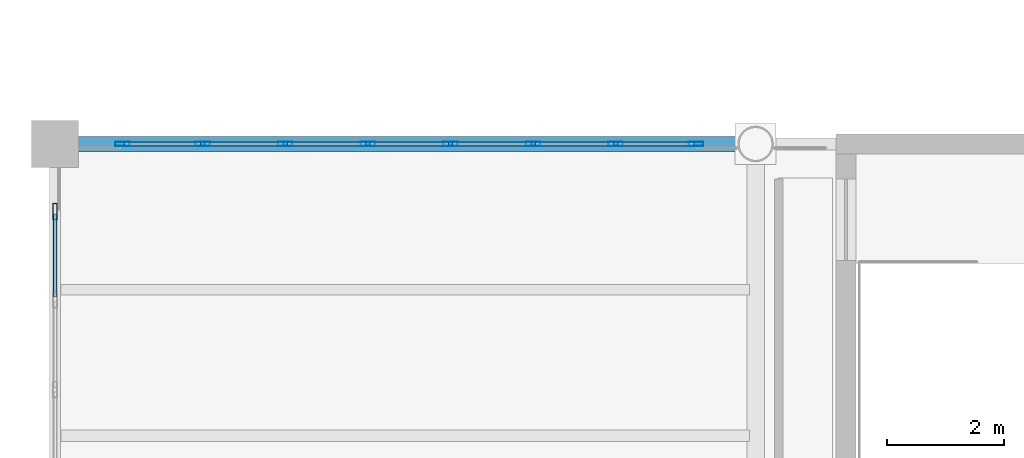
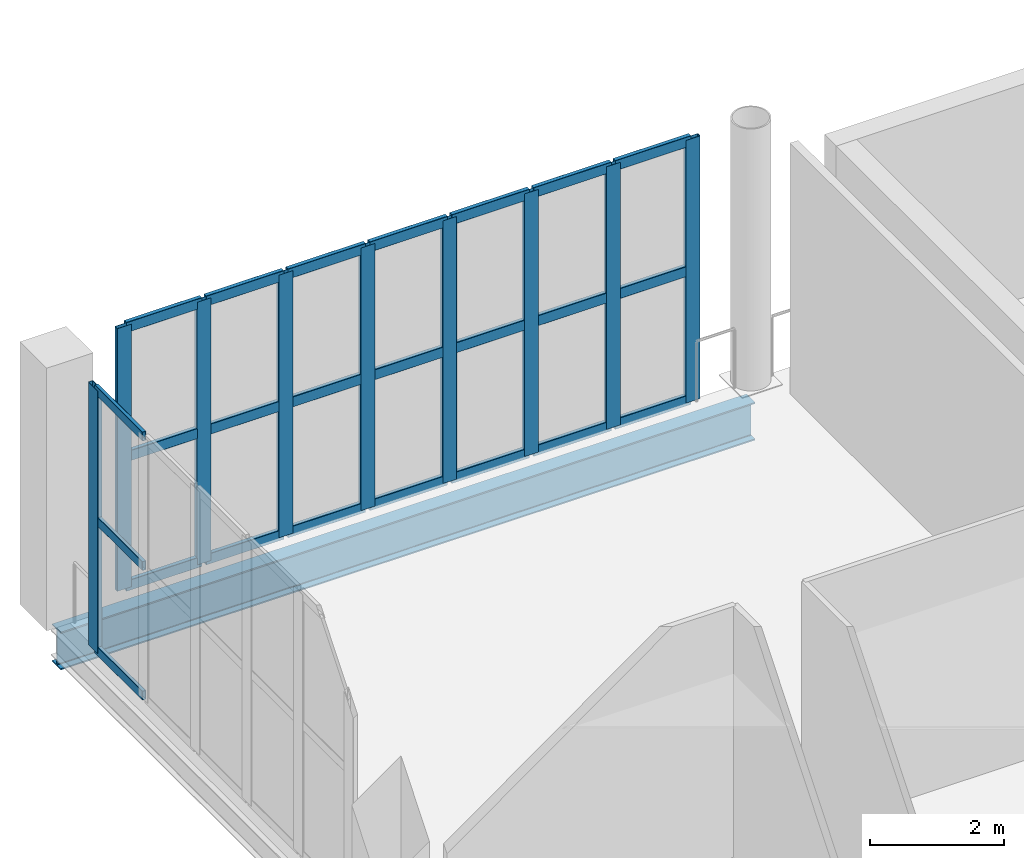
# One storey, part 25 of 49: 33 members, 1 beam, 2 elements without a shape of their own.
"""IFC4 building model written with IfcOpenShell, lengths in metres."""

from ifc_helpers import new_model, si_unit, direction, frame, origin, origin_2d, place, context, subcontext, project, spatial, hollow_rectangle, i_section, extrude, material, layer, layer_set, material_profile, profile_set, type_object, element, aggregate, save


model = new_model("IFC4")

# Units and contexts
model_context = context("Model", 3, precision=1e-05, world=origin(), true_north=direction((0.0, 1.0)))
body_context = subcontext(model_context, "Body", "Model", "MODEL_VIEW")
ifc_project = project(units=[si_unit("LENGTHUNIT", "METRE"), si_unit("AREAUNIT", "SQUARE_METRE"), si_unit("VOLUMEUNIT", "CUBIC_METRE"), si_unit("PLANEANGLEUNIT", "RADIAN"), si_unit("MASSUNIT", "GRAM", prefix="KILO")], contexts=[model_context])

# Site, building, storey
site_placement = place(None, origin())
site = spatial("IfcSite", under=ifc_project, at=site_placement, CompositionType="ELEMENT")
building_placement = place(site_placement, origin())
building = spatial("IfcBuilding", under=site, at=building_placement, Name="Brinegate Civic Arena", CompositionType="ELEMENT")
storey_placement = place(building_placement, frame((0.0, 0.0, 24.60009765625)))
storey = spatial("IfcBuildingStorey", under=building, at=storey_placement, Name="L05", CompositionType="ELEMENT", Elevation=24.60009765625)

# Curtain wall, members
ifc_material_1 = material(Name="Marine grade aluminium", Category="aluminium")
ifc_layer = layer(ifc_material_1, 0.199951171875, Name="Marine grade aluminium")
ifc_layer_set = layer_set([ifc_layer], Name="Marine grade aluminium")
curtain_wall_type = type_object("IfcCurtainWallType", Name="CW-BOWL-GLAZED-01", PredefinedType="USERDEFINED", material=ifc_layer_set)
curtain_wall_1_placement = place(storey_placement, origin())
curtain_wall_1 = element("IfcCurtainWall", 1, at=curtain_wall_1_placement, inside=storey, type_object=curtain_wall_type, Name="Curtain Wall CWA-169", ObjectType="GLAZED CURTAIN WALL", PredefinedType="USERDEFINED")
ifc_material_profile_1 = material_profile(ifc_material_1, hollow_rectangle(XDim=0.074951171875, YDim=0.25, WallThickness=0.006103515625, InnerFilletRadius=0.00390625, OuterFilletRadius=0.008056640625, at=origin_2d()), Name="MUL75X250")
ifc_profile_set_1 = profile_set([ifc_material_profile_1], Name="Marine grade aluminium")
member_type_1 = type_object("IfcMemberType", Name="CW-MULLION-75X250", PredefinedType="MULLION", material=ifc_profile_set_1)
member_1_placement = place(storey_placement, frame((49.153564453125, 114.0, 0.0), z_axis=(0.0, 0.0, 1.0), x_axis=(0.0, 1.0, 0.0)))
member_1 = element("IfcMember", 2, at=member_1_placement, type_object=member_type_1, Name="CWA-169 mullion 1", PredefinedType="MULLION", context=body_context, shape_type="SweptSolid", body=[
    extrude(hollow_rectangle(XDim=0.074951171875, YDim=0.25, WallThickness=0.006103515625, InnerFilletRadius=0.00390625, OuterFilletRadius=0.008056640625, at=origin_2d()), origin(), (0.0, 0.0, 1.0), 4.7998046875),
])
member_2_placement = place(storey_placement, frame((50.53076171875, 114.0, 0.0), z_axis=(0.0, 0.0, 1.0), x_axis=(0.0, 1.0, 0.0)))
member_2 = element("IfcMember", 3, at=member_2_placement, type_object=member_type_1, Name="CWA-169 mullion 2", PredefinedType="MULLION", context=body_context, shape_type="SweptSolid", body=[
    extrude(hollow_rectangle(XDim=0.074951171875, YDim=0.25, WallThickness=0.006103515625, InnerFilletRadius=0.00390625, OuterFilletRadius=0.008056640625, at=origin_2d()), origin(), (0.0, 0.0, 1.0), 4.7998046875),
])
member_3_placement = place(storey_placement, frame((51.9453125, 114.0, 0.0), z_axis=(0.0, 0.0, 1.0), x_axis=(0.0, 1.0, 0.0)))
member_3 = element("IfcMember", 4, at=member_3_placement, type_object=member_type_1, Name="CWA-169 mullion 3", PredefinedType="MULLION", context=body_context, shape_type="SweptSolid", body=[
    extrude(hollow_rectangle(XDim=0.074951171875, YDim=0.25, WallThickness=0.006103515625, InnerFilletRadius=0.00390625, OuterFilletRadius=0.008056640625, at=origin_2d()), origin(), (0.0, 0.0, 1.0), 4.7998046875),
])
member_4_placement = place(storey_placement, frame((53.360107421875, 114.0, 0.0), z_axis=(0.0, 0.0, 1.0), x_axis=(0.0, 1.0, 0.0)))
member_4 = element("IfcMember", 5, at=member_4_placement, type_object=member_type_1, Name="CWA-169 mullion 4", PredefinedType="MULLION", context=body_context, shape_type="SweptSolid", body=[
    extrude(hollow_rectangle(XDim=0.074951171875, YDim=0.25, WallThickness=0.006103515625, InnerFilletRadius=0.00390625, OuterFilletRadius=0.008056640625, at=origin_2d()), origin(), (0.0, 0.0, 1.0), 4.7998046875),
])
member_5_placement = place(storey_placement, frame((54.77490234375, 114.0, 0.0), z_axis=(0.0, 0.0, 1.0), x_axis=(0.0, 1.0, 0.0)))
member_5 = element("IfcMember", 6, at=member_5_placement, type_object=member_type_1, Name="CWA-169 mullion 5", PredefinedType="MULLION", context=body_context, shape_type="SweptSolid", body=[
    extrude(hollow_rectangle(XDim=0.074951171875, YDim=0.25, WallThickness=0.006103515625, InnerFilletRadius=0.00390625, OuterFilletRadius=0.008056640625, at=origin_2d()), origin(), (0.0, 0.0, 1.0), 4.7998046875),
])
member_6_placement = place(storey_placement, frame((56.189453125, 114.0, 0.0), z_axis=(0.0, 0.0, 1.0), x_axis=(0.0, 1.0, 0.0)))
member_6 = element("IfcMember", 7, at=member_6_placement, type_object=member_type_1, Name="CWA-169 mullion 6", PredefinedType="MULLION", context=body_context, shape_type="SweptSolid", body=[
    extrude(hollow_rectangle(XDim=0.074951171875, YDim=0.25, WallThickness=0.006103515625, InnerFilletRadius=0.00390625, OuterFilletRadius=0.008056640625, at=origin_2d()), origin(), (0.0, 0.0, 1.0), 4.7998046875),
])
member_7_placement = place(storey_placement, frame((57.604248046875, 114.0, 0.0), z_axis=(0.0, 0.0, 1.0), x_axis=(0.0, 1.0, 0.0)))
member_7 = element("IfcMember", 8, at=member_7_placement, type_object=member_type_1, Name="CWA-169 mullion 7", PredefinedType="MULLION", context=body_context, shape_type="SweptSolid", body=[
    extrude(hollow_rectangle(XDim=0.074951171875, YDim=0.25, WallThickness=0.006103515625, InnerFilletRadius=0.00390625, OuterFilletRadius=0.008056640625, at=origin_2d()), origin(), (0.0, 0.0, 1.0), 4.7998046875),
])
member_8_placement = place(storey_placement, frame((58.9814453125, 114.0, 0.0), z_axis=(0.0, 0.0, 1.0), x_axis=(0.0, 1.0, 0.0)))
member_8 = element("IfcMember", 9, at=member_8_placement, type_object=member_type_1, Name="CWA-169 mullion 8", PredefinedType="MULLION", context=body_context, shape_type="SweptSolid", body=[
    extrude(hollow_rectangle(XDim=0.074951171875, YDim=0.25, WallThickness=0.006103515625, InnerFilletRadius=0.00390625, OuterFilletRadius=0.008056640625, at=origin_2d()), origin(), (0.0, 0.0, 1.0), 4.7998046875),
])

curtain_wall_2_placement = place(storey_placement, origin())
curtain_wall_2 = element("IfcCurtainWall", 10, at=curtain_wall_2_placement, inside=storey, type_object=curtain_wall_type, Name="Curtain Wall CWA-163", ObjectType="GLAZED CURTAIN WALL", PredefinedType="USERDEFINED")
ifc_material_profile_2 = material_profile(ifc_material_1, hollow_rectangle(XDim=0.080078125, YDim=0.280029296875, WallThickness=0.007080078125, InnerFilletRadius=0.0048828125, OuterFilletRadius=0.010009765625, at=origin_2d()), Name="MUL80X280")
ifc_profile_set_2 = profile_set([ifc_material_profile_2], Name="Marine grade aluminium")
member_type_2 = type_object("IfcMemberType", Name="CW-MULLION-80X280", PredefinedType="MULLION", material=ifc_profile_set_2)
member_9_placement = place(storey_placement, frame((48.0, 112.843994140625, 0.0), z_axis=(0.0, 0.0, 1.0), x_axis=(-1.0, 0.0, 0.0)))
member_9 = element("IfcMember", 11, at=member_9_placement, type_object=member_type_2, Name="CWA-163 mullion 6", PredefinedType="MULLION", context=body_context, shape_type="SweptSolid", body=[
    extrude(hollow_rectangle(XDim=0.080078125, YDim=0.280029296875, WallThickness=0.007080078125, InnerFilletRadius=0.0048828125, OuterFilletRadius=0.010009765625, at=origin_2d()), origin(), (0.0, 0.0, 1.0), 4.7998046875),
])
ifc_material_profile_3 = material_profile(ifc_material_1, hollow_rectangle(XDim=0.06494140625, YDim=0.1650390625, WallThickness=0.0048828125, InnerFilletRadius=0.00390625, OuterFilletRadius=0.008056640625, at=origin_2d()), Name="TRN65X165")
ifc_profile_set_3 = profile_set([ifc_material_profile_3], Name="Marine grade aluminium")
member_type_3 = type_object("IfcMemberType", Name="CW-TRANSOM-65X165", PredefinedType="USERDEFINED", material=ifc_profile_set_3)
member_10_placement = place(storey_placement, frame((48.0, 111.37744140625, 0.032470703125), z_axis=(0.0, 1.0, 0.0), x_axis=(-1.0, 0.0, 0.0)))
member_10 = element("IfcMember", 12, at=member_10_placement, type_object=member_type_3, Name="CWA-163 transom 5.1", ObjectType="TRANSOM", PredefinedType="USERDEFINED", context=body_context, shape_type="SweptSolid", body=[
    extrude(hollow_rectangle(XDim=0.06494140625, YDim=0.1650390625, WallThickness=0.0048828125, InnerFilletRadius=0.00390625, OuterFilletRadius=0.008056640625, at=origin_2d()), origin(), (0.0, 0.0, 1.0), 1.426513671875),
])
member_11_placement = place(storey_placement, frame((48.0, 111.37744140625, 2.39990234375), z_axis=(0.0, 1.0, 0.0), x_axis=(-1.0, 0.0, 0.0)))
member_11 = element("IfcMember", 13, at=member_11_placement, type_object=member_type_3, Name="CWA-163 transom 5.2", ObjectType="TRANSOM", PredefinedType="USERDEFINED", context=body_context, shape_type="SweptSolid", body=[
    extrude(hollow_rectangle(XDim=0.06494140625, YDim=0.1650390625, WallThickness=0.0048828125, InnerFilletRadius=0.00390625, OuterFilletRadius=0.008056640625, at=origin_2d()), origin(), (0.0, 0.0, 1.0), 1.426513671875),
])
member_12_placement = place(storey_placement, frame((48.0, 111.37744140625, 4.767333984375), z_axis=(0.0, 1.0, 0.0), x_axis=(-1.0, 0.0, 0.0)))
member_12 = element("IfcMember", 14, at=member_12_placement, type_object=member_type_3, Name="CWA-163 transom 5.3", ObjectType="TRANSOM", PredefinedType="USERDEFINED", context=body_context, shape_type="SweptSolid", body=[
    extrude(hollow_rectangle(XDim=0.06494140625, YDim=0.1650390625, WallThickness=0.0048828125, InnerFilletRadius=0.00390625, OuterFilletRadius=0.008056640625, at=origin_2d()), origin(), (0.0, 0.0, 1.0), 1.426513671875),
])
aggregate(curtain_wall_2, [member_9, member_10, member_11, member_12])

# Member
ifc_material_profile_4 = material_profile(ifc_material_1, hollow_rectangle(XDim=0.074951171875, YDim=0.18994140625, WallThickness=0.006103515625, InnerFilletRadius=0.00390625, OuterFilletRadius=0.008056640625, at=origin_2d()), Name="TRN75X190")
ifc_profile_set_4 = profile_set([ifc_material_profile_4], Name="Marine grade aluminium")
member_type_4 = type_object("IfcMemberType", Name="CW-TRANSOM-75X190", PredefinedType="USERDEFINED", material=ifc_profile_set_4)
member_13_placement = place(storey_placement, frame((49.19091796875, 114.0, 0.037353515625), z_axis=(1.0, 0.0, 0.0), x_axis=(0.0, 1.0, 0.0)))
member_13 = element("IfcMember", 15, at=member_13_placement, type_object=member_type_4, Name="CWA-169 transom 1.1", ObjectType="TRANSOM", PredefinedType="USERDEFINED", context=body_context, shape_type="SweptSolid", body=[
    extrude(hollow_rectangle(XDim=0.074951171875, YDim=0.18994140625, WallThickness=0.006103515625, InnerFilletRadius=0.00390625, OuterFilletRadius=0.008056640625, at=origin_2d()), origin(), (0.0, 0.0, 1.0), 1.30224609375),
])

member_14_placement = place(storey_placement, frame((49.19091796875, 114.0, 2.39990234375), z_axis=(1.0, 0.0, 0.0), x_axis=(0.0, 1.0, 0.0)))
member_14 = element("IfcMember", 16, at=member_14_placement, type_object=member_type_4, Name="CWA-169 transom 1.2", ObjectType="TRANSOM", PredefinedType="USERDEFINED", context=body_context, shape_type="SweptSolid", body=[
    extrude(hollow_rectangle(XDim=0.074951171875, YDim=0.18994140625, WallThickness=0.006103515625, InnerFilletRadius=0.00390625, OuterFilletRadius=0.008056640625, at=origin_2d()), origin(), (0.0, 0.0, 1.0), 1.30224609375),
])

member_15_placement = place(storey_placement, frame((49.19091796875, 114.0, 4.762451171875), z_axis=(1.0, 0.0, 0.0), x_axis=(0.0, 1.0, 0.0)))
member_15 = element("IfcMember", 17, at=member_15_placement, type_object=member_type_4, Name="CWA-169 transom 1.3", ObjectType="TRANSOM", PredefinedType="USERDEFINED", context=body_context, shape_type="SweptSolid", body=[
    extrude(hollow_rectangle(XDim=0.074951171875, YDim=0.18994140625, WallThickness=0.006103515625, InnerFilletRadius=0.00390625, OuterFilletRadius=0.008056640625, at=origin_2d()), origin(), (0.0, 0.0, 1.0), 1.30224609375),
])

member_16_placement = place(storey_placement, frame((50.568115234375, 114.0, 0.037353515625), z_axis=(1.0, 0.0, 0.0), x_axis=(0.0, 1.0, 0.0)))
member_16 = element("IfcMember", 18, at=member_16_placement, type_object=member_type_4, Name="CWA-169 transom 2.1", ObjectType="TRANSOM", PredefinedType="USERDEFINED", context=body_context, shape_type="SweptSolid", body=[
    extrude(hollow_rectangle(XDim=0.074951171875, YDim=0.18994140625, WallThickness=0.006103515625, InnerFilletRadius=0.00390625, OuterFilletRadius=0.008056640625, at=origin_2d()), origin(), (0.0, 0.0, 1.0), 1.33984375),
])

member_17_placement = place(storey_placement, frame((50.568115234375, 114.0, 2.39990234375), z_axis=(1.0, 0.0, 0.0), x_axis=(0.0, 1.0, 0.0)))
member_17 = element("IfcMember", 19, at=member_17_placement, type_object=member_type_4, Name="CWA-169 transom 2.2", ObjectType="TRANSOM", PredefinedType="USERDEFINED", context=body_context, shape_type="SweptSolid", body=[
    extrude(hollow_rectangle(XDim=0.074951171875, YDim=0.18994140625, WallThickness=0.006103515625, InnerFilletRadius=0.00390625, OuterFilletRadius=0.008056640625, at=origin_2d()), origin(), (0.0, 0.0, 1.0), 1.33984375),
])

member_18_placement = place(storey_placement, frame((50.568115234375, 114.0, 4.762451171875), z_axis=(1.0, 0.0, 0.0), x_axis=(0.0, 1.0, 0.0)))
member_18 = element("IfcMember", 20, at=member_18_placement, type_object=member_type_4, Name="CWA-169 transom 2.3", ObjectType="TRANSOM", PredefinedType="USERDEFINED", context=body_context, shape_type="SweptSolid", body=[
    extrude(hollow_rectangle(XDim=0.074951171875, YDim=0.18994140625, WallThickness=0.006103515625, InnerFilletRadius=0.00390625, OuterFilletRadius=0.008056640625, at=origin_2d()), origin(), (0.0, 0.0, 1.0), 1.33984375),
])

member_19_placement = place(storey_placement, frame((51.98291015625, 114.0, 0.037353515625), z_axis=(1.0, 0.0, 0.0), x_axis=(0.0, 1.0, 0.0)))
member_19 = element("IfcMember", 21, at=member_19_placement, type_object=member_type_4, Name="CWA-169 transom 3.1", ObjectType="TRANSOM", PredefinedType="USERDEFINED", context=body_context, shape_type="SweptSolid", body=[
    extrude(hollow_rectangle(XDim=0.074951171875, YDim=0.18994140625, WallThickness=0.006103515625, InnerFilletRadius=0.00390625, OuterFilletRadius=0.008056640625, at=origin_2d()), origin(), (0.0, 0.0, 1.0), 1.33984375),
])

member_20_placement = place(storey_placement, frame((51.98291015625, 114.0, 2.39990234375), z_axis=(1.0, 0.0, 0.0), x_axis=(0.0, 1.0, 0.0)))
member_20 = element("IfcMember", 22, at=member_20_placement, type_object=member_type_4, Name="CWA-169 transom 3.2", ObjectType="TRANSOM", PredefinedType="USERDEFINED", context=body_context, shape_type="SweptSolid", body=[
    extrude(hollow_rectangle(XDim=0.074951171875, YDim=0.18994140625, WallThickness=0.006103515625, InnerFilletRadius=0.00390625, OuterFilletRadius=0.008056640625, at=origin_2d()), origin(), (0.0, 0.0, 1.0), 1.33984375),
])

member_21_placement = place(storey_placement, frame((51.98291015625, 114.0, 4.762451171875), z_axis=(1.0, 0.0, 0.0), x_axis=(0.0, 1.0, 0.0)))
member_21 = element("IfcMember", 23, at=member_21_placement, type_object=member_type_4, Name="CWA-169 transom 3.3", ObjectType="TRANSOM", PredefinedType="USERDEFINED", context=body_context, shape_type="SweptSolid", body=[
    extrude(hollow_rectangle(XDim=0.074951171875, YDim=0.18994140625, WallThickness=0.006103515625, InnerFilletRadius=0.00390625, OuterFilletRadius=0.008056640625, at=origin_2d()), origin(), (0.0, 0.0, 1.0), 1.33984375),
])

member_22_placement = place(storey_placement, frame((53.397705078125, 114.0, 0.037353515625), z_axis=(1.0, 0.0, 0.0), x_axis=(0.0, 1.0, 0.0)))
member_22 = element("IfcMember", 24, at=member_22_placement, type_object=member_type_4, Name="CWA-169 transom 4.1", ObjectType="TRANSOM", PredefinedType="USERDEFINED", context=body_context, shape_type="SweptSolid", body=[
    extrude(hollow_rectangle(XDim=0.074951171875, YDim=0.18994140625, WallThickness=0.006103515625, InnerFilletRadius=0.00390625, OuterFilletRadius=0.008056640625, at=origin_2d()), origin(), (0.0, 0.0, 1.0), 1.339599609375),
])

member_23_placement = place(storey_placement, frame((53.397705078125, 114.0, 2.39990234375), z_axis=(1.0, 0.0, 0.0), x_axis=(0.0, 1.0, 0.0)))
member_23 = element("IfcMember", 25, at=member_23_placement, type_object=member_type_4, Name="CWA-169 transom 4.2", ObjectType="TRANSOM", PredefinedType="USERDEFINED", context=body_context, shape_type="SweptSolid", body=[
    extrude(hollow_rectangle(XDim=0.074951171875, YDim=0.18994140625, WallThickness=0.006103515625, InnerFilletRadius=0.00390625, OuterFilletRadius=0.008056640625, at=origin_2d()), origin(), (0.0, 0.0, 1.0), 1.339599609375),
])

member_24_placement = place(storey_placement, frame((53.397705078125, 114.0, 4.762451171875), z_axis=(1.0, 0.0, 0.0), x_axis=(0.0, 1.0, 0.0)))
member_24 = element("IfcMember", 26, at=member_24_placement, type_object=member_type_4, Name="CWA-169 transom 4.3", ObjectType="TRANSOM", PredefinedType="USERDEFINED", context=body_context, shape_type="SweptSolid", body=[
    extrude(hollow_rectangle(XDim=0.074951171875, YDim=0.18994140625, WallThickness=0.006103515625, InnerFilletRadius=0.00390625, OuterFilletRadius=0.008056640625, at=origin_2d()), origin(), (0.0, 0.0, 1.0), 1.339599609375),
])

member_25_placement = place(storey_placement, frame((54.812255859375, 114.0, 0.037353515625), z_axis=(1.0, 0.0, 0.0), x_axis=(0.0, 1.0, 0.0)))
member_25 = element("IfcMember", 27, at=member_25_placement, type_object=member_type_4, Name="CWA-169 transom 5.1", ObjectType="TRANSOM", PredefinedType="USERDEFINED", context=body_context, shape_type="SweptSolid", body=[
    extrude(hollow_rectangle(XDim=0.074951171875, YDim=0.18994140625, WallThickness=0.006103515625, InnerFilletRadius=0.00390625, OuterFilletRadius=0.008056640625, at=origin_2d()), origin(), (0.0, 0.0, 1.0), 1.33984375),
])

member_26_placement = place(storey_placement, frame((54.812255859375, 114.0, 2.39990234375), z_axis=(1.0, 0.0, 0.0), x_axis=(0.0, 1.0, 0.0)))
member_26 = element("IfcMember", 28, at=member_26_placement, type_object=member_type_4, Name="CWA-169 transom 5.2", ObjectType="TRANSOM", PredefinedType="USERDEFINED", context=body_context, shape_type="SweptSolid", body=[
    extrude(hollow_rectangle(XDim=0.074951171875, YDim=0.18994140625, WallThickness=0.006103515625, InnerFilletRadius=0.00390625, OuterFilletRadius=0.008056640625, at=origin_2d()), origin(), (0.0, 0.0, 1.0), 1.33984375),
])

member_27_placement = place(storey_placement, frame((54.812255859375, 114.0, 4.762451171875), z_axis=(1.0, 0.0, 0.0), x_axis=(0.0, 1.0, 0.0)))
member_27 = element("IfcMember", 29, at=member_27_placement, type_object=member_type_4, Name="CWA-169 transom 5.3", ObjectType="TRANSOM", PredefinedType="USERDEFINED", context=body_context, shape_type="SweptSolid", body=[
    extrude(hollow_rectangle(XDim=0.074951171875, YDim=0.18994140625, WallThickness=0.006103515625, InnerFilletRadius=0.00390625, OuterFilletRadius=0.008056640625, at=origin_2d()), origin(), (0.0, 0.0, 1.0), 1.33984375),
])

member_28_placement = place(storey_placement, frame((56.22705078125, 114.0, 0.037353515625), z_axis=(1.0, 0.0, 0.0), x_axis=(0.0, 1.0, 0.0)))
member_28 = element("IfcMember", 30, at=member_28_placement, type_object=member_type_4, Name="CWA-169 transom 6.1", ObjectType="TRANSOM", PredefinedType="USERDEFINED", context=body_context, shape_type="SweptSolid", body=[
    extrude(hollow_rectangle(XDim=0.074951171875, YDim=0.18994140625, WallThickness=0.006103515625, InnerFilletRadius=0.00390625, OuterFilletRadius=0.008056640625, at=origin_2d()), origin(), (0.0, 0.0, 1.0), 1.33984375),
])

member_29_placement = place(storey_placement, frame((56.22705078125, 114.0, 2.39990234375), z_axis=(1.0, 0.0, 0.0), x_axis=(0.0, 1.0, 0.0)))
member_29 = element("IfcMember", 31, at=member_29_placement, type_object=member_type_4, Name="CWA-169 transom 6.2", ObjectType="TRANSOM", PredefinedType="USERDEFINED", context=body_context, shape_type="SweptSolid", body=[
    extrude(hollow_rectangle(XDim=0.074951171875, YDim=0.18994140625, WallThickness=0.006103515625, InnerFilletRadius=0.00390625, OuterFilletRadius=0.008056640625, at=origin_2d()), origin(), (0.0, 0.0, 1.0), 1.33984375),
])

member_30_placement = place(storey_placement, frame((56.22705078125, 114.0, 4.762451171875), z_axis=(1.0, 0.0, 0.0), x_axis=(0.0, 1.0, 0.0)))
member_30 = element("IfcMember", 32, at=member_30_placement, type_object=member_type_4, Name="CWA-169 transom 6.3", ObjectType="TRANSOM", PredefinedType="USERDEFINED", context=body_context, shape_type="SweptSolid", body=[
    extrude(hollow_rectangle(XDim=0.074951171875, YDim=0.18994140625, WallThickness=0.006103515625, InnerFilletRadius=0.00390625, OuterFilletRadius=0.008056640625, at=origin_2d()), origin(), (0.0, 0.0, 1.0), 1.33984375),
])

member_31_placement = place(storey_placement, frame((57.641845703125, 114.0, 0.037353515625), z_axis=(1.0, 0.0, 0.0), x_axis=(0.0, 1.0, 0.0)))
member_31 = element("IfcMember", 33, at=member_31_placement, type_object=member_type_4, Name="CWA-169 transom 7.1", ObjectType="TRANSOM", PredefinedType="USERDEFINED", context=body_context, shape_type="SweptSolid", body=[
    extrude(hollow_rectangle(XDim=0.074951171875, YDim=0.18994140625, WallThickness=0.006103515625, InnerFilletRadius=0.00390625, OuterFilletRadius=0.008056640625, at=origin_2d()), origin(), (0.0, 0.0, 1.0), 1.30224609375),
])

member_32_placement = place(storey_placement, frame((57.641845703125, 114.0, 2.39990234375), z_axis=(1.0, 0.0, 0.0), x_axis=(0.0, 1.0, 0.0)))
member_32 = element("IfcMember", 34, at=member_32_placement, type_object=member_type_4, Name="CWA-169 transom 7.2", ObjectType="TRANSOM", PredefinedType="USERDEFINED", context=body_context, shape_type="SweptSolid", body=[
    extrude(hollow_rectangle(XDim=0.074951171875, YDim=0.18994140625, WallThickness=0.006103515625, InnerFilletRadius=0.00390625, OuterFilletRadius=0.008056640625, at=origin_2d()), origin(), (0.0, 0.0, 1.0), 1.30224609375),
])

member_33_placement = place(storey_placement, frame((57.641845703125, 114.0, 4.762451171875), z_axis=(1.0, 0.0, 0.0), x_axis=(0.0, 1.0, 0.0)))
member_33 = element("IfcMember", 35, at=member_33_placement, type_object=member_type_4, Name="CWA-169 transom 7.3", ObjectType="TRANSOM", PredefinedType="USERDEFINED", context=body_context, shape_type="SweptSolid", body=[
    extrude(hollow_rectangle(XDim=0.074951171875, YDim=0.18994140625, WallThickness=0.006103515625, InnerFilletRadius=0.00390625, OuterFilletRadius=0.008056640625, at=origin_2d()), origin(), (0.0, 0.0, 1.0), 1.30224609375),
])

aggregate(curtain_wall_1, [member_1, member_2, member_3, member_4, member_5, member_6, member_7, member_8, member_13, member_14, member_15, member_16, member_17, member_18, member_19, member_20, member_21, member_22, member_23, member_24, member_25, member_26, member_27, member_28, member_29, member_30, member_31, member_32, member_33])

# Beam
ifc_material_2 = material(Name="Steel S355", Category="steel")
ifc_material_profile_5 = material_profile(ifc_material_2, i_section(OverallWidth=0.256103515625, OverallDepth=0.693115234375, WebThickness=0.014892578125, FlangeThickness=0.02392578125, FilletRadius=0.01806640625, at=origin_2d()), Name="W690X170")
ifc_profile_set_5 = profile_set([ifc_material_profile_5], Name="Steel S355")
beam_type = type_object("IfcBeamType", Name="SPANDREL-W690X170", PredefinedType="SPANDREL", material=ifc_profile_set_5)
beam_placement = place(storey_placement, frame((48.0, 114.0, -0.676025390625), z_axis=(1.0, 0.0, 0.0), x_axis=(0.0, 1.0, 0.0)))
element("IfcBeam", 36, at=beam_placement, inside=storey, type_object=beam_type, Name="Floor Girder BM-L05-GX-04-11", PredefinedType="SPANDREL", context=body_context, shape_type="SweptSolid", body=[
    extrude(i_section(OverallWidth=0.256103515625, OverallDepth=0.693115234375, WebThickness=0.014892578125, FlangeThickness=0.02392578125, FilletRadius=0.01806640625, at=origin_2d()), origin(), (0.0, 0.0, 1.0), 12.0),
])

save(model, "model.ifc")
